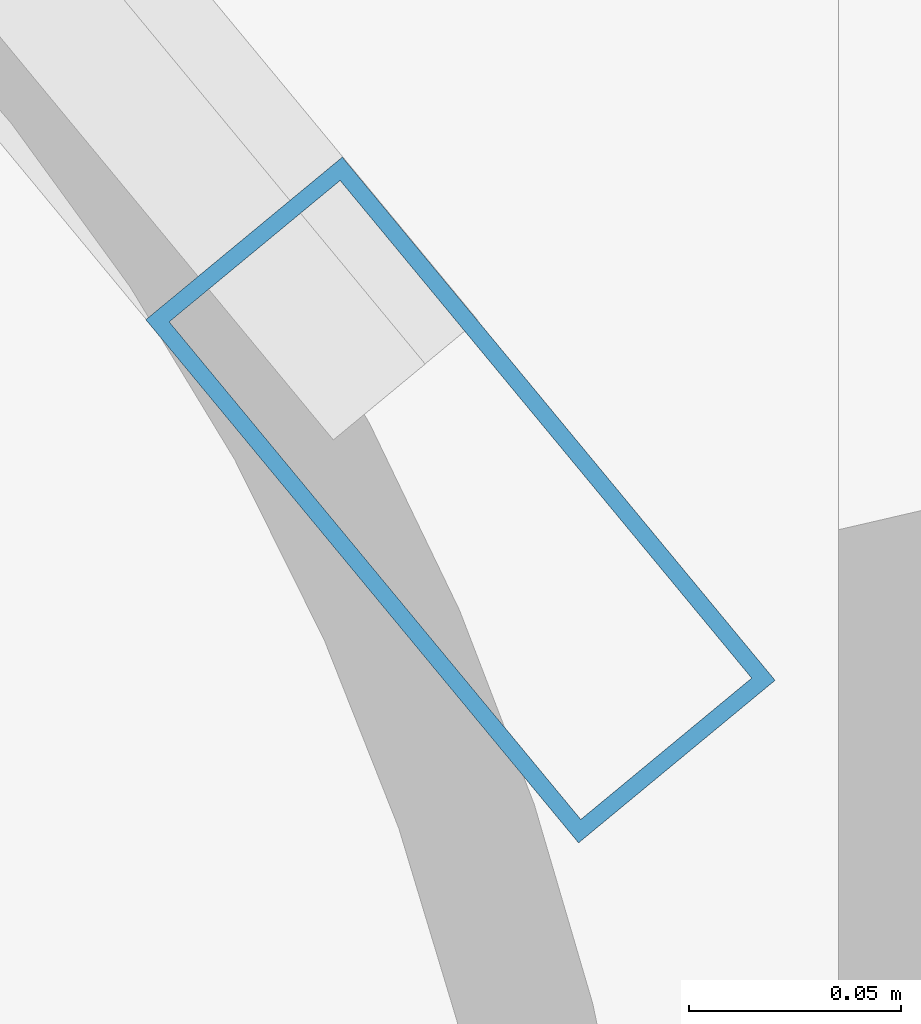
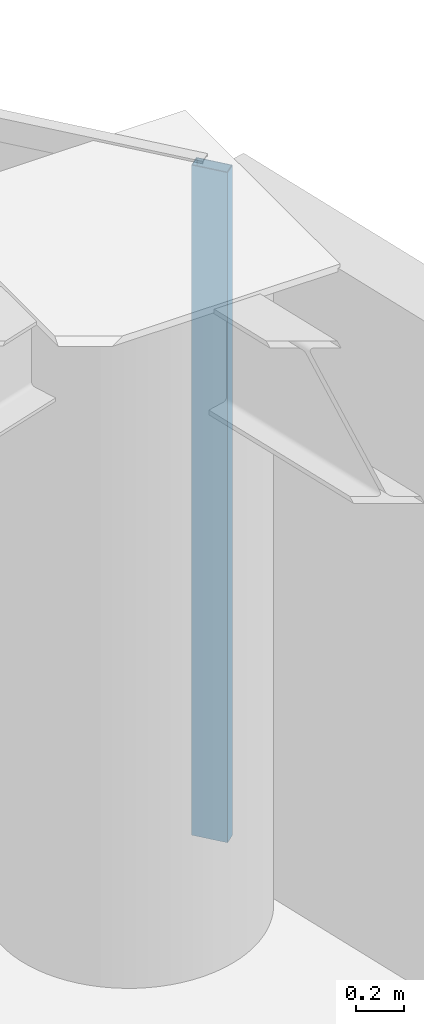
# One storey, part 9 of 27: 1 member, 1 element without a shape of its own.
"""IFC4 building model written with IfcOpenShell, lengths in metres."""

from ifc_helpers import new_model, si_unit, direction, frame, origin, origin_2d, place, context, subcontext, project, spatial, hollow_rectangle, extrude, material, layer, layer_set, material_profile, profile_set, type_object, element, aggregate, save


model = new_model("IFC4")

# Units and contexts
model_context = context("Model", 3, precision=1e-05, world=origin(), true_north=direction((0.0, 1.0)))
body_context = subcontext(model_context, "Body", "Model", "MODEL_VIEW")
ifc_project = project(units=[si_unit("LENGTHUNIT", "METRE"), si_unit("AREAUNIT", "SQUARE_METRE"), si_unit("VOLUMEUNIT", "CUBIC_METRE"), si_unit("PLANEANGLEUNIT", "RADIAN"), si_unit("MASSUNIT", "GRAM", prefix="KILO")], contexts=[model_context])

# Site, building, storey
site_placement = place(None, origin())
site = spatial("IfcSite", under=ifc_project, at=site_placement, CompositionType="ELEMENT")
building_placement = place(site_placement, origin())
building = spatial("IfcBuilding", under=site, at=building_placement, Name="Sarneth Arch Tower", CompositionType="ELEMENT")
storey_placement = place(building_placement, frame((0.0, 0.0, 150.60009765625)))
storey = spatial("IfcBuildingStorey", under=building, at=storey_placement, Name="L37", CompositionType="ELEMENT", Elevation=150.60009765625)

# Curtain wall, member
ifc_material_1 = material(Name="Anodised aluminium Type AA25 and solar-control low-e laminated IGU", Category="aluminium")
ifc_layer = layer(ifc_material_1, 0.169921875)
ifc_layer_set = layer_set([ifc_layer], Name="Anodised aluminium Type AA25 and solar-control low-e laminated IGU")
curtain_wall_type = type_object("IfcCurtainWallType", Name="CW-RES-MID", PredefinedType="NOTDEFINED", material=ifc_layer_set)
curtain_wall_placement = place(storey_placement, origin())
curtain_wall = element("IfcCurtainWall", 1, at=curtain_wall_placement, inside=storey, type_object=curtain_wall_type, Name="L37 Unitised curtain wall facet 02", PredefinedType="NOTDEFINED")
ifc_material_2 = material(Name="Anodised Aluminium 6063-T6", Category="aluminium")
ifc_material_profile = material_profile(ifc_material_2, hollow_rectangle(XDim=0.06005859375, YDim=0.159912109375, WallThickness=0.00390625, at=origin_2d()), Name="AL-MULL-160x60x4")
ifc_profile_set = profile_set([ifc_material_profile], Name="Anodised Aluminium 6063-T6")
member_type = type_object("IfcMemberType", Name="CW-MULLION", PredefinedType="MULLION", material=ifc_profile_set)
member_placement = place(storey_placement, frame((73.213134765625, 50.090087890625, 0.0), z_axis=(0.0, 0.0, 1.0), x_axis=(-0.770590741276, -0.637330298558, 0.0)))
member = element("IfcMember", 2, at=member_placement, type_object=member_type, Name="CW-SYS-5 mullion 1", PredefinedType="MULLION", context=body_context, shape_type="SweptSolid", body=[
    extrude(hollow_rectangle(XDim=0.06005859375, YDim=0.159912109375, WallThickness=0.00390625, at=origin_2d()), origin(), (0.0, 0.0, 1.0), 3.3798828125),
])
aggregate(curtain_wall, [member])

save(model, "model.ifc")
